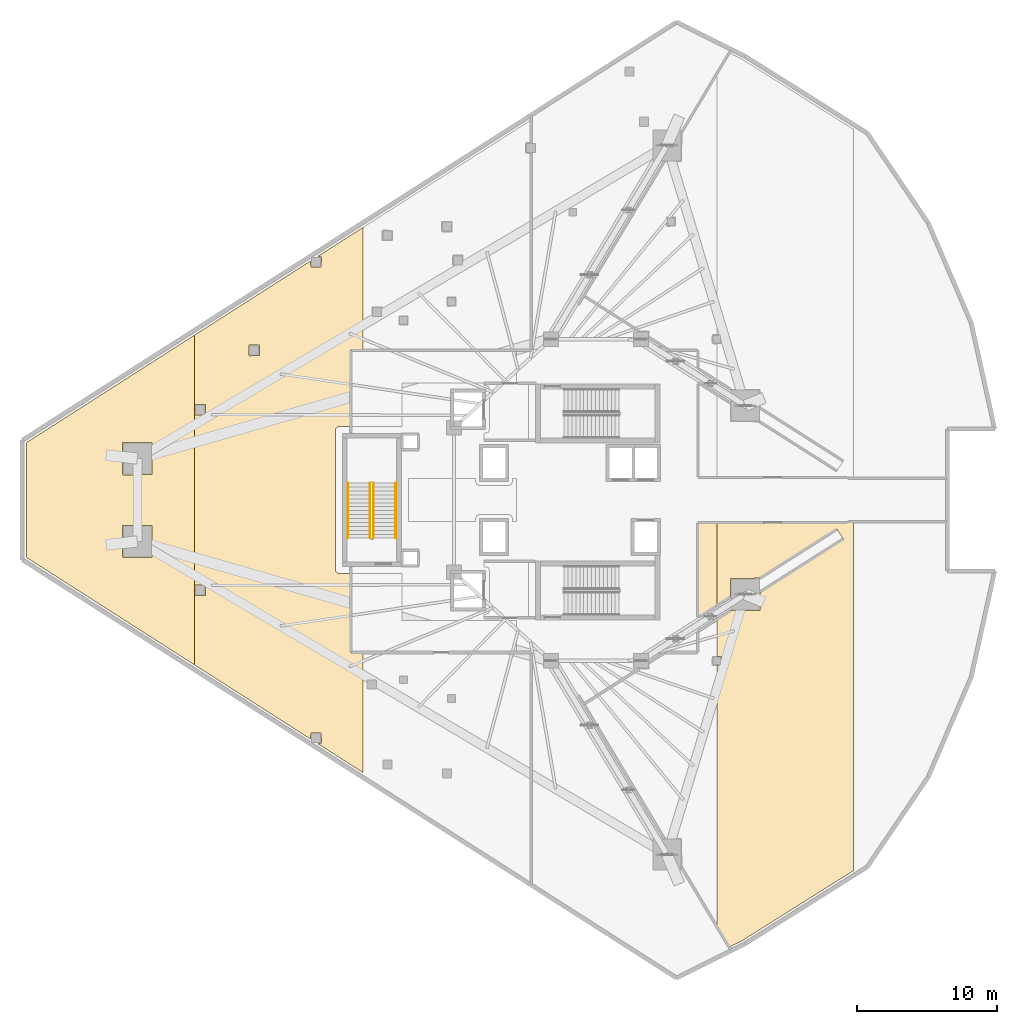
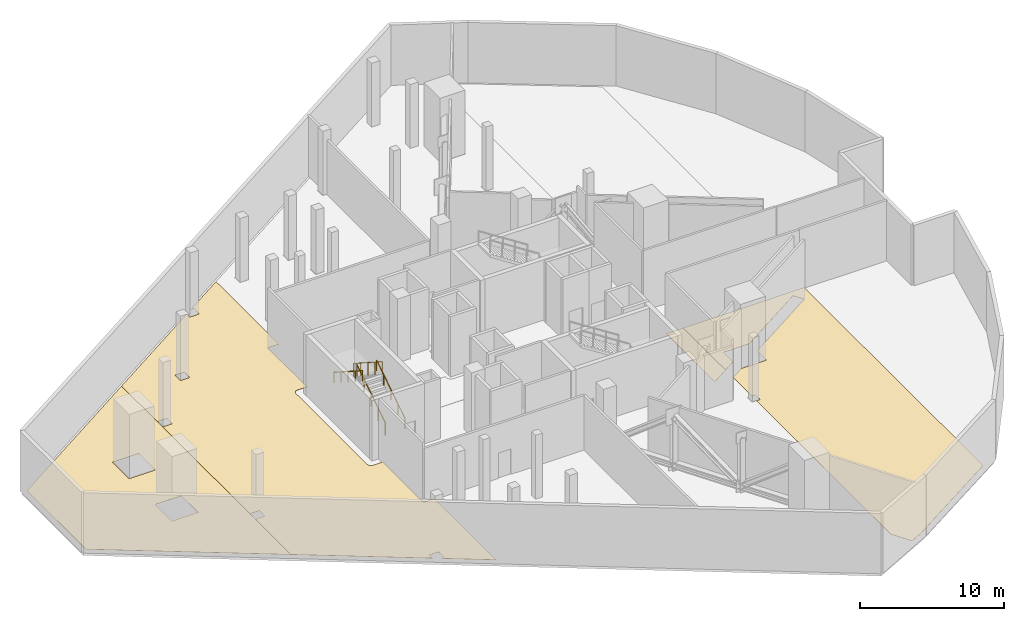
# One storey, part 10 of 12: 4 coverings, 4 railings.
"""IFC4 building model written with IfcOpenShell, lengths in metres."""

from ifc_helpers import new_model, si_unit, direction, frame, origin, origin_2d, place, context, subcontext, project, spatial, polyline, circle, outline, extrude, material, layer, layer_set, type_object, element, save


model = new_model("IFC4")

# Units and contexts
model_context = context("Model", 3, precision=1e-05, world=origin(), true_north=direction((0.0, 1.0)))
body_context = subcontext(model_context, "Body", "Model", "MODEL_VIEW")
ifc_project = project(units=[si_unit("LENGTHUNIT", "METRE"), si_unit("AREAUNIT", "SQUARE_METRE"), si_unit("VOLUMEUNIT", "CUBIC_METRE"), si_unit("PLANEANGLEUNIT", "RADIAN"), si_unit("MASSUNIT", "GRAM", prefix="KILO")], contexts=[model_context])

# Site, building, storey
site_placement = place(None, origin())
site = spatial("IfcSite", under=ifc_project, at=site_placement, CompositionType="ELEMENT")
building_placement = place(site_placement, origin())
building = spatial("IfcBuilding", under=site, at=building_placement, Name="Qorvath Tower", CompositionType="ELEMENT")
storey_placement = place(building_placement, frame((0.0, 0.0, 99.60009765625)))
storey = spatial("IfcBuildingStorey", under=building, at=storey_placement, Name="L22", CompositionType="ELEMENT", Elevation=99.60009765625)

# Coverings
ifc_material_1 = material(Name="Low-VOC modular carpet tile", Category="textile")
ifc_layer = layer(ifc_material_1, 0.014892578125)
ifc_layer_set = layer_set([ifc_layer], Name="COV-FLOOR-CPT")
covering_type = type_object("IfcCoveringType", Name="COV-FLOOR-CPT", PredefinedType="FLOORING", material=ifc_layer_set)
covering_1_placement = place(storey_placement, origin())
element("IfcCovering", 1, at=covering_1_placement, inside=storey, type_object=covering_type, Name="L22 Floor Finish 006", PredefinedType="FLOORING", context=body_context, shape_type="SweptSolid", body=[
    extrude(outline(polyline([(-48.968505859375, -11.745849609375), (-48.968505859375, 11.745849609375), (-60.9501953125, 4.087890625), (-60.9501953125, -4.087890625), (-48.968505859375, -11.745849609375)]), holes=[polyline([(-54.109375, -4.05078125), (-54.091796875, -1.808349609375), (-52.007080078125, -1.808349609375), (-52.007080078125, -4.09326171875), (-54.04931640625, -4.11083984375), (-54.109375, -4.05078125)]), polyline([(-54.109375, 1.850830078125), (-54.091796875, 4.09326171875), (-52.007080078125, 4.09326171875), (-52.007080078125, 1.808349609375), (-54.04931640625, 1.790771484375), (-54.109375, 1.850830078125)])]), origin(), (0.0, 0.0, 1.0), 0.014892578125),
])
covering_2_placement = place(storey_placement, origin())
element("IfcCovering", 2, at=covering_2_placement, inside=storey, type_object=covering_type, Name="L22 Floor Finish 007", PredefinedType="FLOORING", context=body_context, shape_type="SweptSolid", body=[
    extrude(outline(polyline([(-36.98681640625, 10.6630859375), (-36.98681640625, 19.40380859375), (-40.21435546875, 17.3408203125), (-40.007568359375, 17.3408203125), (-39.947509765625, 17.28076171875), (-39.965087890625, 16.58837890625), (-40.699951171875, 16.58837890625), (-40.717529296875, 17.019287109375), (-48.968505859375, 11.745849609375), (-48.968505859375, -11.745849609375), (-40.717529296875, -17.019287109375), (-40.699951171875, -16.58837890625), (-39.965087890625, -16.58837890625), (-39.947509765625, -17.28076171875), (-40.007568359375, -17.3408203125), (-40.21435546875, -17.3408203125), (-36.98681640625, -19.40380859375), (-36.98681640625, -10.861572265625), (-37.861572265625, -10.861572265625), (-37.863037109375, -5.239990234375), (-38.699951171875, -5.239990234375), (-38.876708984375, -5.166748046875), (-38.949951171875, -4.989990234375), (-38.949951171875, 4.989990234375), (-38.876708984375, 5.166748046875), (-38.699951171875, 5.239990234375), (-37.863037109375, 5.239990234375), (-37.85791015625, 10.6630859375), (-36.98681640625, 10.6630859375)]), holes=[polyline([(-45.121337890625, 10.327392578125), (-45.103759765625, 11.019775390625), (-44.368896484375, 11.019775390625), (-44.368896484375, 10.284912109375), (-45.061279296875, 10.267333984375), (-45.121337890625, 10.327392578125)]), polyline([(-48.96337890625, -6.74951171875), (-48.94580078125, -6.05712890625), (-48.2109375, -6.05712890625), (-48.2109375, -6.7919921875), (-48.9033203125, -6.8095703125), (-48.96337890625, -6.74951171875)]), polyline([(-48.96337890625, 6.099609375), (-48.94580078125, 6.7919921875), (-48.2109375, 6.7919921875), (-48.2109375, 6.05712890625), (-48.9033203125, 6.03955078125), (-48.96337890625, 6.099609375)])]), origin(), (0.0, 0.0, 1.0), 0.014892578125),
])
covering_3_placement = place(storey_placement, origin())
element("IfcCovering", 3, at=covering_3_placement, inside=storey, type_object=covering_type, Name="L22 Floor Finish 013", PredefinedType="FLOORING", context=body_context, shape_type="SweptSolid", body=[
    extrude(outline(polyline([(-11.76953125, -7.489990234375), (-11.76953125, -1.6083984375), (-13.136962890625, -1.613037109375), (-13.136962890625, -8.3603515625), (-11.76953125, -7.489990234375)])), origin(), (0.0, 0.0, 1.0), 0.014892578125),
])
covering_4_placement = place(storey_placement, origin())
element("IfcCovering", 4, at=covering_4_placement, inside=storey, type_object=covering_type, Name="L22 Floor Finish 014", PredefinedType="FLOORING", context=body_context, shape_type="SweptSolid", body=[
    extrude(outline(polyline([(-2.07666015625, -26.396240234375), (-2.07666015625, -1.576171875), (-11.76953125, -1.6083984375), (-11.76953125, -7.489990234375), (-10.830322265625, -6.892333984375), (-10.812744140625, -5.578857421875), (-8.75146484375, -5.569091796875), (-3.24951171875, -2.0673828125), (-2.791015625, -2.78125), (-8.710205078125, -6.550537109375), (-8.727783203125, -7.86376953125), (-10.7890625, -7.87353515625), (-11.76953125, -8.49755859375), (-11.76953125, -11.132568359375), (-11.482666015625, -11.132568359375), (-11.482666015625, -11.767333984375), (-11.76953125, -11.77587890625), (-11.76953125, -30.391845703125), (-10.91064453125, -31.8271484375), (-9.9404296875, -31.342041015625), (-2.07666015625, -26.396240234375)])), origin(), (0.0, 0.0, 1.0), 0.014892578125),
])

# Railings
ifc_material_2 = material(Name="Painted galvanised steel", Category="steel")
railing_type_1 = type_object("IfcRailingType", Name="RL-STR-GRD", PredefinedType="GUARDRAIL", material=ifc_material_2)
railing_1_placement = place(storey_placement, frame((-36.22998046875, -2.719970703125, 0.179931640625)))
element("IfcRailing", 5, at=railing_1_placement, inside=storey, type_object=railing_type_1, Name="L22 TS3 stair guard 1", PredefinedType="GUARDRAIL", context=body_context, shape_type="SweptSolid", body=[
    extrude(circle(Radius=0.02392578125, at=origin_2d()), frame((0.0, 0.0, 1.076171875), z_axis=(0.0, 0.841171666519, 0.540768182723), x_axis=(-1.0, 0.0, 0.0)), (0.0, 0.0, 1.0), 4.66015625),
    extrude(circle(Radius=0.02099609375, at=origin_2d()), origin(), (0.0, 0.0, 1.0), 1.052001953125),
    extrude(circle(Radius=0.02099609375, at=origin_2d()), frame((0.0, 0.97998046875, 0.6298828125)), (0.0, 0.0, 1.0), 1.052001953125),
    extrude(circle(Radius=0.02099609375, at=origin_2d()), frame((0.0, 1.9599609375, 1.260009765625)), (0.0, 0.0, 1.0), 1.052001953125),
    extrude(circle(Radius=0.02099609375, at=origin_2d()), frame((0.0, 2.93994140625, 1.89013671875)), (0.0, 0.0, 1.0), 1.052001953125),
    extrude(circle(Radius=0.02099609375, at=origin_2d()), frame((0.0, 3.919921875, 2.52001953125)), (0.0, 0.0, 1.0), 1.052001953125),
])
railing_2_placement = place(storey_placement, frame((-36.47998046875, 1.199951171875, 2.8798828125)))
element("IfcRailing", 6, at=railing_2_placement, inside=storey, type_object=railing_type_1, Name="L22 TS3 stair guard 3", PredefinedType="GUARDRAIL", context=body_context, shape_type="SweptSolid", body=[
    extrude(circle(Radius=0.02392578125, at=origin_2d()), frame((0.0, 0.0, 1.076171875), z_axis=(0.0, -0.841171666519, 0.540768182723), x_axis=(1.0, 0.0, 0.0)), (0.0, 0.0, 1.0), 4.66015625),
    extrude(circle(Radius=0.02099609375, at=origin_2d()), origin(), (0.0, 0.0, 1.0), 1.052001953125),
    extrude(circle(Radius=0.02099609375, at=origin_2d()), frame((0.0, -0.97998046875, 0.6298828125)), (0.0, 0.0, 1.0), 1.052001953125),
    extrude(circle(Radius=0.02099609375, at=origin_2d()), frame((0.0, -1.9599609375, 1.260009765625)), (0.0, 0.0, 1.0), 1.052001953125),
    extrude(circle(Radius=0.02099609375, at=origin_2d()), frame((0.0, -2.93994140625, 1.89013671875)), (0.0, 0.0, 1.0), 1.052001953125),
    extrude(circle(Radius=0.02099609375, at=origin_2d()), frame((0.0, -3.919921875, 2.52001953125)), (0.0, 0.0, 1.0), 1.052001953125),
])
ifc_material_3 = material(Name="Brushed stainless steel AISI 304", Category="steel")
railing_type_2 = type_object("IfcRailingType", Name="RL-STR-HND", PredefinedType="HANDRAIL", material=ifc_material_3)
railing_3_placement = place(storey_placement, frame((-34.64990234375, -2.719970703125, 0.179931640625)))
element("IfcRailing", 7, at=railing_3_placement, inside=storey, type_object=railing_type_2, Name="L22 TS3 stair handrail 1", PredefinedType="HANDRAIL", context=body_context, shape_type="SweptSolid", body=[
    extrude(circle(Radius=0.02392578125, at=origin_2d()), frame((0.0, 0.0, 0.8759765625), z_axis=(0.0, 0.841171666519, 0.540768182723), x_axis=(-1.0, 0.0, 0.0)), (0.0, 0.0, 1.0), 4.66015625),
    extrude(circle(Radius=0.02099609375, at=origin_2d()), origin(), (0.0, 0.0, 1.0), 0.851806640625),
    extrude(circle(Radius=0.02099609375, at=origin_2d()), frame((0.0, 0.97998046875, 0.6298828125)), (0.0, 0.0, 1.0), 0.851806640625),
    extrude(circle(Radius=0.02099609375, at=origin_2d()), frame((0.0, 1.9599609375, 1.260009765625)), (0.0, 0.0, 1.0), 0.851806640625),
    extrude(circle(Radius=0.02099609375, at=origin_2d()), frame((0.0, 2.93994140625, 1.89013671875)), (0.0, 0.0, 1.0), 0.851806640625),
    extrude(circle(Radius=0.02099609375, at=origin_2d()), frame((0.0, 3.919921875, 2.52001953125)), (0.0, 0.0, 1.0), 0.851806640625),
])
railing_4_placement = place(storey_placement, frame((-38.06005859375, 1.199951171875, 2.8798828125)))
element("IfcRailing", 8, at=railing_4_placement, inside=storey, type_object=railing_type_2, Name="L22 TS3 stair handrail 2", PredefinedType="HANDRAIL", context=body_context, shape_type="SweptSolid", body=[
    extrude(circle(Radius=0.02392578125, at=origin_2d()), frame((0.0, 0.0, 0.8759765625), z_axis=(0.0, -0.841171666519, 0.540768182723), x_axis=(1.0, 0.0, 0.0)), (0.0, 0.0, 1.0), 4.66015625),
    extrude(circle(Radius=0.02099609375, at=origin_2d()), origin(), (0.0, 0.0, 1.0), 0.851806640625),
    extrude(circle(Radius=0.02099609375, at=origin_2d()), frame((0.0, -0.97998046875, 0.6298828125)), (0.0, 0.0, 1.0), 0.851806640625),
    extrude(circle(Radius=0.02099609375, at=origin_2d()), frame((0.0, -1.9599609375, 1.260009765625)), (0.0, 0.0, 1.0), 0.851806640625),
    extrude(circle(Radius=0.02099609375, at=origin_2d()), frame((0.0, -2.93994140625, 1.89013671875)), (0.0, 0.0, 1.0), 0.851806640625),
    extrude(circle(Radius=0.02099609375, at=origin_2d()), frame((0.0, -3.919921875, 2.52001953125)), (0.0, 0.0, 1.0), 0.851806640625),
])

save(model, "model.ifc")
